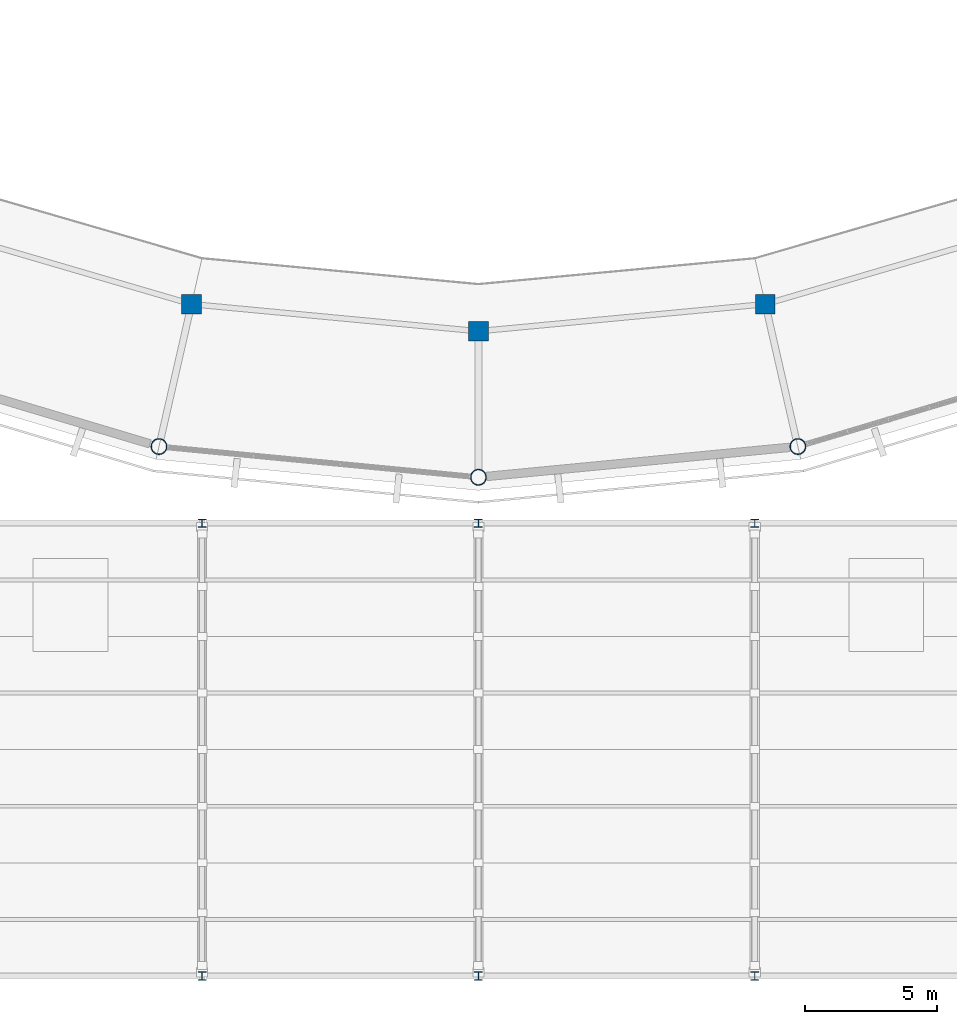
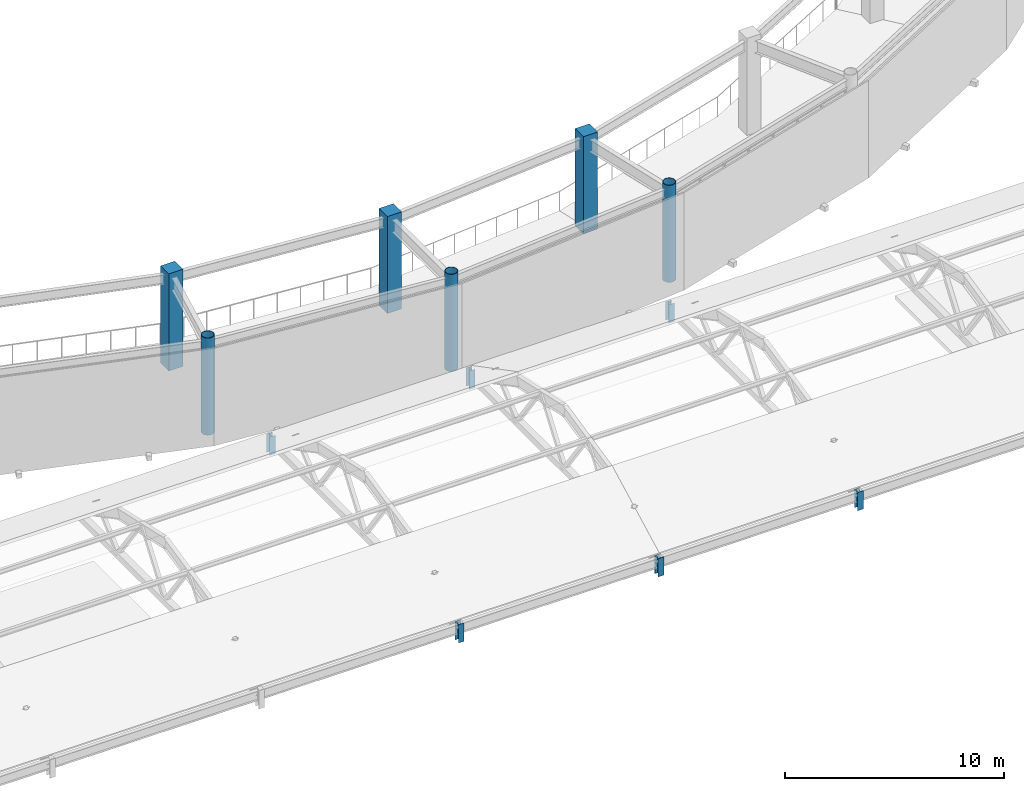
# One storey, part 4 of 70: 12 columns.
"""IFC4 building model written with IfcOpenShell, lengths in metres."""

import ifcopenshell
import ifcopenshell.guid

model = None  # the IFC model being written
_history = None  # IfcOwnerHistory: only IFC2X3 demands one
_inside = {}  # id of a spatial element -> (the spatial element, [elements in it])
_under = {}  # id of a project, library or spatial element -> (it, [spatial elements below it])
_declared = {}  # id of a project -> (the project, [libraries it declares])
_typed = {}  # id of a type object -> (the type object, [elements of that type])
_made_of = {}  # id of a material, layer set ... -> (it, [elements and type objects made of it])


def new_model(schema):
    """Start an empty IFC model of exactly this schema.

    Asked for "IFC4X3", IfcOpenShell would pick the latest addendum, in which some entities
    have other attributes; the version numbers below select the first issue.
    IFC2X3 requires an IfcOwnerHistory on every rooted entity: one is made here for all.
    """
    global model, _history
    if schema == "IFC4X3":
        model = ifcopenshell.file(schema_version=(4, 3, 0, 0))
    else:
        model = ifcopenshell.file(schema=schema)
    _inside.clear()
    _under.clear()
    _declared.clear()
    _typed.clear()
    _made_of.clear()
    _history = None
    if model.schema == "IFC2X3":
        org = make("IfcOrganization", Name="unknown")
        user = make(
            "IfcPersonAndOrganization",
            ThePerson=make("IfcPerson", FamilyName="unknown"),
            TheOrganization=org,
        )
        app = make(
            "IfcApplication",
            ApplicationDeveloper=org,
            Version="unknown",
            ApplicationFullName="unknown",
            ApplicationIdentifier="unknown",
        )
        _history = make(
            "IfcOwnerHistory",
            OwningUser=user,
            OwningApplication=app,
            ChangeAction="ADDED",
            CreationDate=0,
        )
    return model


def make(cls, **values):
    """One entity of the class cls with the attributes given. An attribute that is None is left unset."""
    return model.create_entity(
        cls, **{name: value for name, value in values.items() if value is not None}
    )


def rooted(cls, **values):
    """An entity with a GlobalId (a new one), such as an element, a storey or a relation."""
    return make(cls, GlobalId=ifcopenshell.guid.new(), OwnerHistory=_history, **values)


def si_unit(unit_type, name, prefix=None):
    """IfcSIUnit, for example si_unit("LENGTHUNIT", "METRE", prefix="MILLI")."""
    return make("IfcSIUnit", UnitType=unit_type, Prefix=prefix, Name=name)


def assignment(units):
    """IfcUnitAssignment: the units of a project."""
    return None if units is None else make("IfcUnitAssignment", Units=units)


def point(xyz):
    """IfcCartesianPoint."""
    return None if xyz is None else make("IfcCartesianPoint", Coordinates=xyz)


def direction(xyz):
    """IfcDirection."""
    return None if xyz is None else make("IfcDirection", DirectionRatios=xyz)


def frame(location, z_axis=None, x_axis=None):
    """IfcAxis2Placement3D, a coordinate frame: its origin and axes. An axis left out is left unset."""
    return make(
        "IfcAxis2Placement3D",
        Location=point(location),
        Axis=direction(z_axis),
        RefDirection=direction(x_axis),
    )


def frame_2d(location, x_axis=None):
    """IfcAxis2Placement2D, a coordinate frame in the plane: its origin and x axis."""
    return make(
        "IfcAxis2Placement2D", Location=point(location), RefDirection=direction(x_axis)
    )


def origin():
    """The frame at (0, 0, 0) with its axes left unset."""
    return frame((0.0, 0.0, 0.0))


def origin_2d():
    """The frame at (0, 0) in the plane with its x axis left unset."""
    return frame_2d((0.0, 0.0))


def place(relative_to, where):
    """IfcLocalPlacement: puts the frame where relative to a parent placement (None: the world)."""
    return make(
        "IfcLocalPlacement", PlacementRelTo=relative_to, RelativePlacement=where
    )


def context(
    kind, dimensions, precision=None, world=None, true_north=None, identifier=None
):
    """IfcGeometricRepresentationContext, for example the 3D "Model" context."""
    return make(
        "IfcGeometricRepresentationContext",
        ContextIdentifier=identifier,
        ContextType=kind,
        CoordinateSpaceDimension=dimensions,
        Precision=precision,
        WorldCoordinateSystem=world,
        TrueNorth=true_north,
    )


def subcontext(parent, identifier, kind, view, scale=None):
    """IfcGeometricRepresentationSubContext, for example "Body" below "Model"."""
    return make(
        "IfcGeometricRepresentationSubContext",
        ContextIdentifier=identifier,
        ContextType=kind,
        ParentContext=parent,
        TargetScale=scale,
        TargetView=view,
    )


def project(units=None, contexts=None):
    """IfcProject with its units and contexts."""
    return rooted(
        "IfcProject",
        Name="project",
        RepresentationContexts=contexts,
        UnitsInContext=assignment(units),
    )


def spatial(cls, under=None, at=None, **own):
    """A site, building, storey or space (cls), placed at a placement, below another one or the project."""
    s = rooted(cls, ObjectPlacement=at, **own)
    if under is not None:
        _under.setdefault(under.id(), (under, []))[1].append(s)
    return s


def profile(cls, at=None, kind="AREA", **sizes):
    """A parametric profile (cls). Its sizes go by their IFC names, for example OverallWidth=200.0."""
    return make(cls, ProfileType=kind, Position=at, **sizes)


def rectangle(**sizes):
    """IfcRectangleProfileDef."""
    return profile("IfcRectangleProfileDef", **sizes)


def hollow_circle(**sizes):
    """IfcCircleHollowProfileDef."""
    return profile("IfcCircleHollowProfileDef", **sizes)


def i_section(**sizes):
    """IfcIShapeProfileDef."""
    return profile("IfcIShapeProfileDef", **sizes)


def extrude(swept, where, along, depth):
    """IfcExtrudedAreaSolid: the profile swept, set in the frame where, extruded along a direction by depth."""
    return make(
        "IfcExtrudedAreaSolid",
        SweptArea=swept,
        Position=where,
        ExtrudedDirection=direction(along),
        Depth=depth,
    )


def shape(context_of_items, identifier, shape_type, items):
    """IfcShapeRepresentation: the items that make up one representation, for example the "Body"."""
    return make(
        "IfcShapeRepresentation",
        ContextOfItems=context_of_items,
        RepresentationIdentifier=identifier,
        RepresentationType=shape_type,
        Items=items,
    )


def material(Name=None, Category=None):
    """IfcMaterial."""
    return make("IfcMaterial", Name=Name, Category=Category)


def material_profile(
    of_material, cross_section, Name=None, Category=None, Priority=None
):
    """IfcMaterialProfile: a cross section and its material."""
    return make(
        "IfcMaterialProfile",
        Name=Name,
        Material=of_material,
        Profile=cross_section,
        Priority=Priority,
        Category=Category,
    )


def profile_set(profiles, Name=None, composite=None):
    """IfcMaterialProfileSet."""
    return make(
        "IfcMaterialProfileSet",
        Name=Name,
        MaterialProfiles=profiles,
        CompositeProfile=composite,
    )


def made_of(thing, what):
    """Note that an element or type object is made of a material, layer set ...; save() writes the relation."""
    if what is not None:
        _made_of.setdefault(what.id(), (what, []))[1].append(thing)
    return thing


def type_object(cls, material=None, **own):
    """A type object (cls), such as IfcWallType, which elements share."""
    return made_of(rooted(cls, **own), material)


def element(
    cls,
    number,
    at=None,
    inside=None,
    cuts=None,
    type_object=None,
    material=None,
    context=None,
    identifier="Body",
    shape_type=None,
    held_by="IfcProductDefinitionShape",
    body=None,
    shapes=None,
    **own,
):
    """One element of the class cls, such as IfcWall. Its Tag is "e" and its number.

    at: its placement. inside: the storey or other place that contains it. cuts: it is an
    opening in that element (IfcRelVoidsElement). A single representation is given by context,
    identifier, shape_type and body (its items); several are given by shapes. held_by: the class
    of the entity that holds the representations. save() writes the other relations.
    """
    e = rooted(cls, Tag="e%d" % number, ObjectPlacement=at, **own)
    if body is not None:
        shapes = [shape(context, identifier, shape_type, body)]
    if shapes is not None:
        e.Representation = make(held_by, Representations=shapes)
    if inside is not None:
        _inside.setdefault(inside.id(), (inside, []))[1].append(e)
    if cuts is not None:
        rooted(
            "IfcRelVoidsElement", RelatingBuildingElement=cuts, RelatedOpeningElement=e
        )
    if type_object is not None:
        _typed.setdefault(type_object.id(), (type_object, []))[1].append(e)
    return made_of(e, material)


def aggregate(whole, parts):
    """IfcRelAggregates: a whole, such as a stair, and the parts it consists of."""
    return rooted("IfcRelAggregates", RelatingObject=whole, RelatedObjects=parts)


def save(model, path):
    """Write the relations noted so far, then the file.

    IfcRelAggregates (storeys below a building ...), IfcRelContainedInSpatialStructure (elements
    in a storey), IfcRelDefinesByType, IfcRelAssociatesMaterial and IfcRelDeclares: one each for
    every whole, place, type object, material and project.
    """
    for whole, parts in _under.values():
        aggregate(whole, parts)
    for where, things in _inside.values():
        rooted(
            "IfcRelContainedInSpatialStructure",
            RelatedElements=things,
            RelatingStructure=where,
        )
    for kind, things in _typed.values():
        rooted("IfcRelDefinesByType", RelatedObjects=things, RelatingType=kind)
    for what, things in _made_of.values():
        rooted("IfcRelAssociatesMaterial", RelatedObjects=things, RelatingMaterial=what)
    for by, libraries in _declared.values():
        rooted("IfcRelDeclares", RelatingContext=by, RelatedDefinitions=libraries)
    model.write(path)


model = new_model("IFC4")

# Units and contexts
model_context = context("Model", 3, precision=1e-05, world=origin(), true_north=direction((0.0, 1.0)))
body_context = subcontext(model_context, "Body", "Model", "MODEL_VIEW")
ifc_project = project(units=[si_unit("LENGTHUNIT", "METRE"), si_unit("AREAUNIT", "SQUARE_METRE"), si_unit("VOLUMEUNIT", "CUBIC_METRE"), si_unit("PLANEANGLEUNIT", "RADIAN"), si_unit("MASSUNIT", "GRAM", prefix="KILO")], contexts=[model_context])

# Site, building, storey
site_placement = place(None, origin())
site = spatial("IfcSite", under=ifc_project, at=site_placement, CompositionType="ELEMENT")
building_placement = place(site_placement, origin())
building = spatial("IfcBuilding", under=site, at=building_placement, Name="Cuetzalor Civic Arena", CompositionType="ELEMENT")
storey_placement = place(building_placement, frame((0.0, 0.0, 21.0)))
storey = spatial("IfcBuildingStorey", under=building, at=storey_placement, Name="L04", CompositionType="ELEMENT", Elevation=21.0)

# Columns
ifc_material_1 = material(Name="Concrete C40/50", Category="concrete")
ifc_material_profile_1 = material_profile(ifc_material_1, rectangle(XDim=0.75, YDim=0.75, at=origin_2d()), Name="RC 750x750")
ifc_profile_set_1 = profile_set([ifc_material_profile_1], Name="Concrete C40/50")
column_type_1 = type_object("IfcColumnType", Name="ConcreteColumn_750", PredefinedType="COLUMN", material=ifc_profile_set_1)
for number, where, z_axis, x_axis, name in (
    (1, (-10.903564453125, -39.971923828125, 0.0), (0.0, 0.0, 1.0), (1.0, 0.0, 0.0), "Column V1-REC-21 L04"),
    (2, (0.0, -41.0, 0.0), (0.0, 0.0, 1.0), (1.0, 0.0, 0.0), "Column V1-REC-22 L04"),
    (3, (10.903564453125, -39.971923828125, 0.0), (0.0, 0.0, 1.0), (1.0, 0.0, 0.0), "Column V1-REC-23 L04"),
):
    element("IfcColumn", number, at=place(storey_placement, frame(where, z_axis=z_axis, x_axis=x_axis)), inside=storey, type_object=column_type_1, Name=name, PredefinedType="COLUMN", context=body_context, shape_type="SweptSolid", body=[
        extrude(rectangle(XDim=0.75, YDim=0.75, at=origin_2d()), origin(), (0.0, 0.0, 1.0), 5.39990234375),
    ])
ifc_material_2 = material(Name="Steel S355", Category="steel")
ifc_material_profile_2 = material_profile(ifc_material_2, hollow_circle(Radius=0.304931640625, WallThickness=0.02490234375, at=origin_2d()), Name="CHS 610x25")
ifc_profile_set_2 = profile_set([ifc_material_profile_2], Name="Steel S355")
column_type_2 = type_object("IfcColumnType", Name="SteelDomePylon_CHS610", PredefinedType="COLUMN", material=ifc_profile_set_2)
for number, where, z_axis, x_axis, name in (
    (4, (-12.138427734375, -45.3828125, 0.0), (0.0, 0.0, 1.0), (1.0, 0.0, 0.0), "Column V1-PYL-21 L04"),
    (5, (0.0, -46.550048828125, 0.0), (0.0, 0.0, 1.0), (1.0, 0.0, 0.0), "Column V1-PYL-22 L04"),
    (6, (12.138427734375, -45.3828125, 0.0), (0.0, 0.0, 1.0), (1.0, 0.0, 0.0), "Column V1-PYL-23 L04"),
):
    element("IfcColumn", number, at=place(storey_placement, frame(where, z_axis=z_axis, x_axis=x_axis)), inside=storey, type_object=column_type_2, Name=name, PredefinedType="COLUMN", context=body_context, shape_type="SweptSolid", body=[
        extrude(hollow_circle(Radius=0.304931640625, WallThickness=0.02490234375, at=origin_2d()), origin(), (0.0, 0.0, 1.0), 5.39990234375),
    ])
ifc_material_3 = material(Name="Steel S355", Category="steel")
ifc_material_profile_3 = material_profile(ifc_material_3, i_section(OverallWidth=0.304931640625, OverallDepth=0.30810546875, WebThickness=0.010009765625, FlangeThickness=0.015380859375, at=origin_2d()), Name="W310x97")
ifc_profile_set_3 = profile_set([ifc_material_profile_3], Name="Steel S355")
column_type_3 = type_object("IfcColumnType", Name="SteelGalleryColumn_W310", PredefinedType="COLUMN", material=ifc_profile_set_3)
for number, where, z_axis, x_axis, name in (
    (7, (-10.5, -65.5, 0.0), (0.0, 0.0, 1.0), (1.0, 0.0, 0.0), "South Foyer Vault Eaves Post -10.5/65.5"),
    (8, (-10.5, -48.300048828125, 0.0), (0.0, 0.0, 1.0), (1.0, 0.0, 0.0), "South Foyer Vault Eaves Post -10.5/48.3"),
    (9, (0.0, -65.5, 0.0), (0.0, 0.0, 1.0), (1.0, 0.0, 0.0), "South Foyer Vault Eaves Post 0/65.5"),
    (10, (0.0, -48.300048828125, 0.0), (0.0, 0.0, 1.0), (1.0, 0.0, 0.0), "South Foyer Vault Eaves Post 0/48.3"),
    (11, (10.5, -65.5, 0.0), (0.0, 0.0, 1.0), (1.0, 0.0, 0.0), "South Foyer Vault Eaves Post 10.5/65.5"),
    (12, (10.5, -48.300048828125, 0.0), (0.0, 0.0, 1.0), (1.0, 0.0, 0.0), "South Foyer Vault Eaves Post 10.5/48.3"),
):
    element("IfcColumn", number, at=place(storey_placement, frame(where, z_axis=z_axis, x_axis=x_axis)), inside=storey, type_object=column_type_3, Name=name, PredefinedType="COLUMN", context=body_context, shape_type="SweptSolid", body=[
        extrude(i_section(OverallWidth=0.304931640625, OverallDepth=0.30810546875, WebThickness=0.010009765625, FlangeThickness=0.015380859375, at=origin_2d()), origin(), (0.0, 0.0, 1.0), 1.02001953125),
    ])

save(model, "model.ifc")
